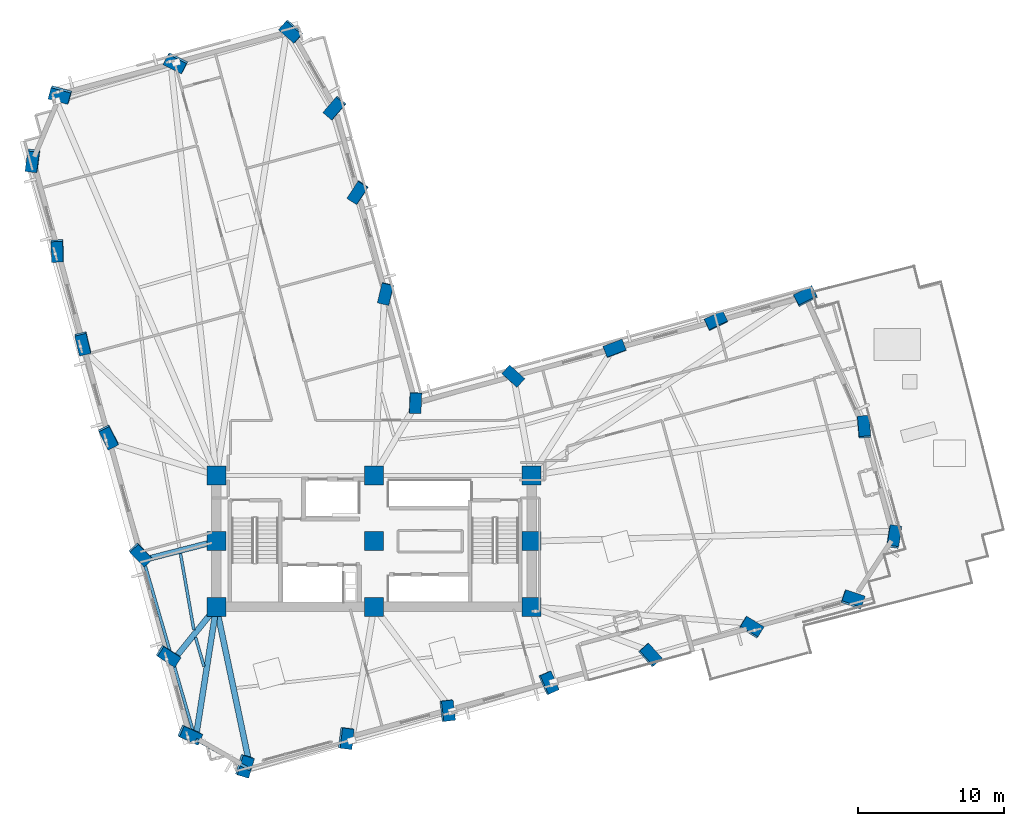
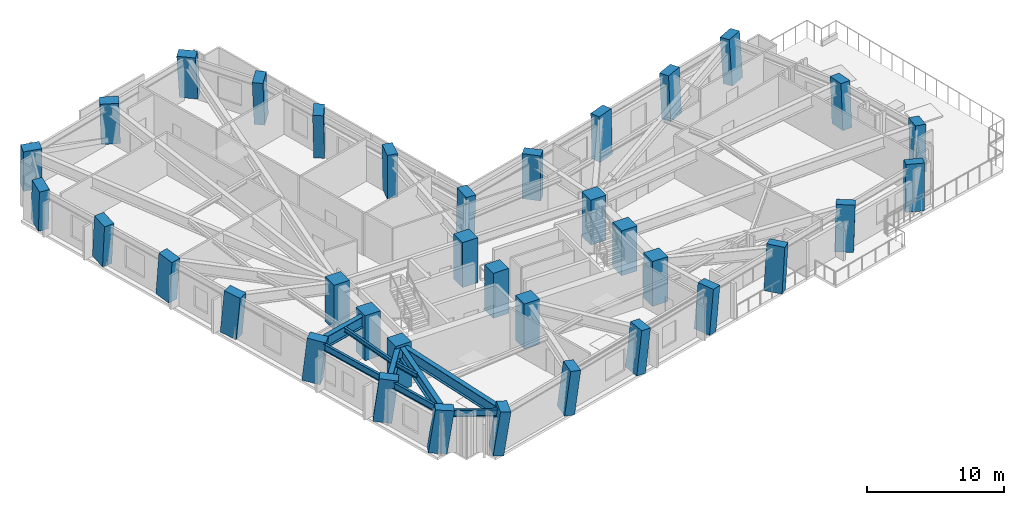
# One storey, part 1 of 15: 36 columns, 9 beams.
"""IFC4 building model written with IfcOpenShell, lengths in metres."""

from ifc_helpers import new_model, si_unit, direction, frame, origin, origin_2d, place, context, subcontext, project, spatial, rectangle, i_section, extrude, material, material_profile, profile_set, type_object, element, save


model = new_model("IFC4")

# Units and contexts
model_context = context("Model", 3, precision=1e-05, world=origin(), true_north=direction((0.0, 1.0)))
body_context = subcontext(model_context, "Body", "Model", "MODEL_VIEW")
ifc_project = project(units=[si_unit("LENGTHUNIT", "METRE"), si_unit("AREAUNIT", "SQUARE_METRE"), si_unit("VOLUMEUNIT", "CUBIC_METRE"), si_unit("PLANEANGLEUNIT", "RADIAN"), si_unit("MASSUNIT", "GRAM", prefix="KILO")], contexts=[model_context])

# Site, building, storey
site_placement = place(None, origin())
site = spatial("IfcSite", under=ifc_project, at=site_placement, CompositionType="ELEMENT")
building_placement = place(site_placement, origin())
building = spatial("IfcBuilding", under=site, at=building_placement, Name="Gaonmaruhae Medical Tower", CompositionType="ELEMENT")
storey_placement = place(building_placement, frame((0.0, 0.0, 88.39990234375)))
storey = spatial("IfcBuildingStorey", under=building, at=storey_placement, Name="L20", CompositionType="ELEMENT", Elevation=88.39990234375)

# Columns
ifc_material_1 = material(Name="Concrete C60/75", Category="concrete")
ifc_material_profile_1 = material_profile(ifc_material_1, rectangle(XDim=1.300048828125, YDim=1.300048828125, at=origin_2d()), Name="RC-1300x1300")
ifc_profile_set_1 = profile_set([ifc_material_profile_1], Name="Concrete C60/75")
column_type_1 = type_object("IfcColumnType", Name="CC-03 Zone 2 Core Column (RC-1300x1300)", PredefinedType="COLUMN", material=ifc_profile_set_1)
for number, where, z_axis, x_axis, name in (
    (1, (14.0, 7.800048828125, 0.0), (0.0, 0.0, 1.0), (1.0, 0.0, 0.0), "L20 Plumb Core Column CC11"),
    (2, (14.0, 12.300048828125, 0.0), (0.0, 0.0, 1.0), (1.0, 0.0, 0.0), "L20 Plumb Core Column CC12"),
    (3, (14.0, 16.800048828125, 0.0), (0.0, 0.0, 1.0), (1.0, 0.0, 0.0), "L20 Plumb Core Column CC13"),
    (4, (24.800048828125, 7.800048828125, 0.0), (0.0, 0.0, 1.0), (1.0, 0.0, 0.0), "L20 Plumb Core Column CC21"),
    (5, (24.800048828125, 12.300048828125, 0.0), (0.0, 0.0, 1.0), (1.0, 0.0, 0.0), "L20 Plumb Core Column CC22"),
    (6, (24.800048828125, 16.800048828125, 0.0), (0.0, 0.0, 1.0), (1.0, 0.0, 0.0), "L20 Plumb Core Column CC23"),
    (7, (35.60009765625, 7.800048828125, 0.0), (0.0, 0.0, 1.0), (1.0, 0.0, 0.0), "L20 Plumb Core Column CC31"),
    (8, (35.60009765625, 12.300048828125, 0.0), (0.0, 0.0, 1.0), (1.0, 0.0, 0.0), "L20 Plumb Core Column CC32"),
    (9, (35.60009765625, 16.800048828125, 0.0), (0.0, 0.0, 1.0), (1.0, 0.0, 0.0), "L20 Plumb Core Column CC33"),
):
    element("IfcColumn", number, at=place(storey_placement, frame(where, z_axis=z_axis, x_axis=x_axis)), inside=storey, type_object=column_type_1, Name=name, PredefinedType="COLUMN", context=body_context, shape_type="SweptSolid", body=[
        extrude(rectangle(XDim=1.300048828125, YDim=1.300048828125, at=origin_2d()), origin(), (0.0, 0.0, 1.0), 4.0),
    ])
ifc_material_profile_2 = material_profile(ifc_material_1, rectangle(XDim=1.39990234375, YDim=0.800048828125, at=origin_2d()), Name="RC-1400x800")
ifc_profile_set_2 = profile_set([ifc_material_profile_2], Name="Concrete C60/75")
column_type_2 = type_object("IfcColumnType", Name="TC-02 Mid Raking Tube Pier Column (RC-1400x800)", PredefinedType="COLUMN", material=ifc_profile_set_2)
column_1_placement = place(storey_placement, frame((15.896484375, -3.07470703125, 0.079833984375), z_axis=(0.115064015975, -0.07179155074, 0.990760437982), x_axis=(0.290437959757, 0.956232893506, 0.035559034153)))
element("IfcColumn", 10, at=column_1_placement, inside=storey, type_object=column_type_2, Name="L20 Perimeter Tube Column S01", PredefinedType="COLUMN", context=body_context, shape_type="SweptSolid", body=[
    extrude(rectangle(XDim=1.39990234375, YDim=0.800048828125, at=origin_2d()), origin(), (0.0, 0.0, 1.0), 3.955078125),
])
column_2_placement = place(storey_placement, frame((22.8427734375, -1.184326171875, 0.068603515625), z_axis=(0.107373775111, -0.043443182574, 0.99326912884), x_axis=(0.120527614907, 0.992245335413, 0.030369201428)))
element("IfcColumn", 11, at=column_2_placement, inside=storey, type_object=column_type_2, Name="L20 Perimeter Tube Column S02", PredefinedType="COLUMN", context=body_context, shape_type="SweptSolid", body=[
    extrude(rectangle(XDim=1.39990234375, YDim=0.800048828125, at=origin_2d()), origin(), (0.0, 0.0, 1.0), 3.956298828125),
])
column_3_placement = place(storey_placement, frame((29.78955078125, 0.70556640625, 0.059814453125), z_axis=(0.099480422966, -0.014925147153, 0.994927577982), x_axis=(-0.114792101151, 0.993039351459, 0.026374608369)))
element("IfcColumn", 12, at=column_3_placement, inside=storey, type_object=column_type_2, Name="L20 Perimeter Tube Column S03", PredefinedType="COLUMN", context=body_context, shape_type="SweptSolid", body=[
    extrude(rectangle(XDim=1.39990234375, YDim=0.800048828125, at=origin_2d()), origin(), (0.0, 0.0, 1.0), 3.95849609375),
])
column_4_placement = place(storey_placement, frame((36.73681640625, 2.594970703125, 0.055419921875), z_axis=(0.091494482232, 0.013687179957, 0.995711514861), x_axis=(-0.400965338617, 0.91577205319, 0.024255799796)))
element("IfcColumn", 13, at=column_4_placement, inside=storey, type_object=column_type_2, Name="L20 Perimeter Tube Column S04", PredefinedType="COLUMN", context=body_context, shape_type="SweptSolid", body=[
    extrude(rectangle(XDim=1.39990234375, YDim=0.800048828125, at=origin_2d()), origin(), (0.0, 0.0, 1.0), 3.9599609375),
])
column_5_placement = place(storey_placement, frame((43.6845703125, 4.484375, 0.055908203125), z_axis=(0.083481406489, 0.04229560181, 0.995611338243), x_axis=(-0.668997536394, 0.742859501733, 0.024536849522)))
element("IfcColumn", 14, at=column_5_placement, inside=storey, type_object=column_type_2, Name="L20 Perimeter Tube Column S05", PredefinedType="COLUMN", context=body_context, shape_type="SweptSolid", body=[
    extrude(rectangle(XDim=1.39990234375, YDim=0.800048828125, at=origin_2d()), origin(), (0.0, 0.0, 1.0), 3.959716796875),
])
column_6_placement = place(storey_placement, frame((50.632568359375, 6.374267578125, 0.0615234375), z_axis=(0.07537657007, 0.070812031457, 0.994637636974), x_axis=(-0.850808290541, 0.524776121633, 0.027115953079)))
element("IfcColumn", 15, at=column_6_placement, inside=storey, type_object=column_type_2, Name="L20 Perimeter Tube Column S06", PredefinedType="COLUMN", context=body_context, shape_type="SweptSolid", body=[
    extrude(rectangle(XDim=1.39990234375, YDim=0.800048828125, at=origin_2d()), origin(), (0.0, 0.0, 1.0), 3.9580078125),
])
column_7_placement = place(storey_placement, frame((57.580810546875, 8.2646484375, 0.07080078125), z_axis=(0.067267890032, 0.099235566212, 0.992787657744), x_axis=(-0.94484438457, 0.32600777038, 0.03143282678)))
element("IfcColumn", 16, at=column_7_placement, inside=storey, type_object=column_type_2, Name="L20 Perimeter Tube Column S07", PredefinedType="COLUMN", context=body_context, shape_type="SweptSolid", body=[
    extrude(rectangle(XDim=1.39990234375, YDim=0.800048828125, at=origin_2d()), origin(), (0.0, 0.0, 1.0), 3.9560546875),
])
column_8_placement = place(storey_placement, frame((60.40478515625, 12.558837890625, 0.09716796875), z_axis=(0.049509870039, 0.110698354341, 0.992620092037), x_axis=(-0.151744023747, -0.981467926566, 0.117023332628)))
element("IfcColumn", 17, at=column_8_placement, inside=storey, type_object=column_type_2, Name="L20 Perimeter Tube Column E01", PredefinedType="COLUMN", context=body_context, shape_type="SweptSolid", body=[
    extrude(rectangle(XDim=1.39990234375, YDim=0.800048828125, at=origin_2d()), origin(), (0.0, 0.0, 1.0), 3.93017578125),
])
column_9_placement = place(storey_placement, frame((58.3564453125, 20.083740234375, 0.083740234375), z_axis=(0.018608966, 0.102225253226, 0.994587202807), x_axis=(0.086055333022, -0.991231736381, 0.100270257057)))
element("IfcColumn", 18, at=column_9_placement, inside=storey, type_object=column_type_2, Name="L20 Perimeter Tube Column E02", PredefinedType="COLUMN", context=body_context, shape_type="SweptSolid", body=[
    extrude(rectangle(XDim=1.39990234375, YDim=0.800048828125, at=origin_2d()), origin(), (0.0, 0.0, 1.0), 3.935791015625),
])
column_10_placement = place(storey_placement, frame((54.363037109375, 29.047119140625, 0.052490234375), z_axis=(-0.018244360098, 0.085551256137, 0.996166715916), x_axis=(-0.8893197332, -0.456710409443, 0.022934996119)))
element("IfcColumn", 19, at=column_10_placement, inside=storey, type_object=column_type_2, Name="L20 Perimeter Tube Column E03", PredefinedType="COLUMN", context=body_context, shape_type="SweptSolid", body=[
    extrude(rectangle(XDim=1.39990234375, YDim=0.800048828125, at=origin_2d()), origin(), (0.0, 0.0, 1.0), 3.9609375),
])
column_11_placement = place(storey_placement, frame((48.23583984375, 27.3798828125, 0.03759765625), z_axis=(-0.011197400024, 0.060478264967, 0.99810670657), x_axis=(-0.901247683569, -0.433004107727, 0.016126238025)))
element("IfcColumn", 20, at=column_11_placement, inside=storey, type_object=column_type_2, Name="L20 Perimeter Tube Column EN01", PredefinedType="COLUMN", context=body_context, shape_type="SweptSolid", body=[
    extrude(rectangle(XDim=1.39990234375, YDim=0.800048828125, at=origin_2d()), origin(), (0.0, 0.0, 1.0), 3.96826171875),
])
column_12_placement = place(storey_placement, frame((41.2880859375, 25.490478515625, 0.020751953125), z_axis=(-0.003128768258, 0.031839818153, 0.999488087367), x_axis=(-0.93476314802, -0.355172485039, 0.008388264129)))
element("IfcColumn", 21, at=column_12_placement, inside=storey, type_object=column_type_2, Name="L20 Perimeter Tube Column EN02", PredefinedType="COLUMN", context=body_context, shape_type="SweptSolid", body=[
    extrude(rectangle(XDim=1.39990234375, YDim=0.800048828125, at=origin_2d()), origin(), (0.0, 0.0, 1.0), 3.9794921875),
])
column_13_placement = place(storey_placement, frame((34.340087890625, 23.60205078125, 0.005859375), z_axis=(0.004891986406, 0.003118641334, 0.999983171131), x_axis=(-0.739833024485, 0.67278880948, 0.001521091706)))
element("IfcColumn", 22, at=column_13_placement, inside=storey, type_object=column_type_2, Name="L20 Perimeter Tube Column EN03", PredefinedType="COLUMN", context=body_context, shape_type="SweptSolid", body=[
    extrude(rectangle(XDim=1.39990234375, YDim=0.800048828125, at=origin_2d()), origin(), (0.0, 0.0, 1.0), 3.992431640625),
])
column_14_placement = place(storey_placement, frame((27.63330078125, 21.779296875, 0.02490234375), z_axis=(0.012775417682, -0.024629531204, 0.99961501334), x_axis=(0.041751933516, 0.998837867097, 0.024076779265)))
element("IfcColumn", 23, at=column_14_placement, inside=storey, type_object=column_type_2, Name="L20 Perimeter Tube Column KN01", PredefinedType="COLUMN", context=body_context, shape_type="SweptSolid", body=[
    extrude(rectangle(XDim=1.39990234375, YDim=0.800048828125, at=origin_2d()), origin(), (0.0, 0.0, 1.0), 3.974853515625),
])
column_15_placement = place(storey_placement, frame((25.6005859375, 29.2578125, 0.0322265625), z_axis=(-0.018207839126, -0.033340029752, 0.999278198006), x_axis=(0.232094427976, 0.972002209671, 0.036658981122)))
element("IfcColumn", 24, at=column_15_placement, inside=storey, type_object=column_type_2, Name="L20 Perimeter Tube Column NE01", PredefinedType="COLUMN", context=body_context, shape_type="SweptSolid", body=[
    extrude(rectangle(XDim=1.39990234375, YDim=0.800048828125, at=origin_2d()), origin(), (0.0, 0.0, 1.0), 3.968994140625),
])
column_16_placement = place(storey_placement, frame((23.7109375, 36.204833984375, 0.05126953125), z_axis=(-0.046855821749, -0.041299795455, 0.998047523349), x_axis=(0.549159183113, 0.833541377051, 0.060274076899)))
element("IfcColumn", 25, at=column_16_placement, inside=storey, type_object=column_type_2, Name="L20 Perimeter Tube Column NE02", PredefinedType="COLUMN", context=body_context, shape_type="SweptSolid", body=[
    extrude(rectangle(XDim=1.39990234375, YDim=0.800048828125, at=origin_2d()), origin(), (0.0, 0.0, 1.0), 3.954833984375),
])
column_17_placement = place(storey_placement, frame((22.13525390625, 41.99365234375, 0.069091796875), z_axis=(-0.070575652412, -0.04791715348, 0.996354868352), x_axis=(0.648202629794, 0.757005030897, 0.082320920335)))
element("IfcColumn", 26, at=column_17_placement, inside=storey, type_object=column_type_2, Name="L20 Perimeter Tube Column NE03", PredefinedType="COLUMN", context=body_context, shape_type="SweptSolid", body=[
    extrude(rectangle(XDim=1.39990234375, YDim=0.800048828125, at=origin_2d()), origin(), (0.0, 0.0, 1.0), 3.943603515625),
])
column_18_placement = place(storey_placement, frame((19.15283203125, 47.2451171875, 0.065185546875), z_axis=(-0.091989780155, -0.060277676198, 0.993933841913), x_axis=(0.746878057935, -0.664335519439, 0.028835467529)))
element("IfcColumn", 27, at=column_18_placement, inside=storey, type_object=column_type_2, Name="L20 Perimeter Tube Column N01", PredefinedType="COLUMN", context=body_context, shape_type="SweptSolid", body=[
    extrude(rectangle(XDim=1.39990234375, YDim=0.800048828125, at=origin_2d()), origin(), (0.0, 0.0, 1.0), 3.95703125),
])
column_19_placement = place(storey_placement, frame((11.23974609375, 45.09228515625, 0.0732421875), z_axis=(-0.082764973125, -0.092639988561, 0.992253894799), x_axis=(0.892975011796, -0.44892624056, 0.032570828123)))
element("IfcColumn", 28, at=column_19_placement, inside=storey, type_object=column_type_2, Name="L20 Perimeter Tube Column N02", PredefinedType="COLUMN", context=body_context, shape_type="SweptSolid", body=[
    extrude(rectangle(XDim=1.39990234375, YDim=0.800048828125, at=origin_2d()), origin(), (0.0, 0.0, 1.0), 3.955810546875),
])
column_20_placement = place(storey_placement, frame((3.326416015625, 42.9384765625, 0.0849609375), z_axis=(-0.073396879193, -0.124756175652, 0.98946894583), x_axis=(0.963298741643, -0.265735361181, 0.037950654368)))
element("IfcColumn", 29, at=column_20_placement, inside=storey, type_object=column_type_2, Name="L20 Perimeter Tube Column N03", PredefinedType="COLUMN", context=body_context, shape_type="SweptSolid", body=[
    extrude(rectangle(XDim=1.39990234375, YDim=0.800048828125, at=origin_2d()), origin(), (0.0, 0.0, 1.0), 3.955078125),
])
column_21_placement = place(storey_placement, frame((1.440673828125, 38.431884765625, 0.114501953125), z_axis=(-0.054871959567, -0.132327276643, 0.989686091602), x_axis=(0.123637289563, 0.98265105164, 0.138241568785)))
element("IfcColumn", 30, at=column_21_placement, inside=storey, type_object=column_type_2, Name="L20 Perimeter Tube Column W01", PredefinedType="COLUMN", context=body_context, shape_type="SweptSolid", body=[
    extrude(rectangle(XDim=1.39990234375, YDim=0.800048828125, at=origin_2d()), origin(), (0.0, 0.0, 1.0), 3.92431640625),
])
column_22_placement = place(storey_placement, frame((3.121826171875, 32.258056640625, 0.103271484375), z_axis=(-0.029648840383, -0.125494777221, 0.991651151945), x_axis=(-0.035134870554, 0.991605066994, 0.124438466655)))
element("IfcColumn", 31, at=column_22_placement, inside=storey, type_object=column_type_2, Name="L20 Perimeter Tube Column W02", PredefinedType="COLUMN", context=body_context, shape_type="SweptSolid", body=[
    extrude(rectangle(XDim=1.39990234375, YDim=0.800048828125, at=origin_2d()), origin(), (0.0, 0.0, 1.0), 3.927734375),
])
column_23_placement = place(storey_placement, frame((4.855224609375, 25.890625, 0.094970703125), z_axis=(-0.003602216737, -0.118314187664, 0.992969675787), x_axis=(-0.232906733675, 0.965767262988, 0.114228048877)))
element("IfcColumn", 32, at=column_23_placement, inside=storey, type_object=column_type_2, Name="L20 Perimeter Tube Column W03", PredefinedType="COLUMN", context=body_context, shape_type="SweptSolid", body=[
    extrude(rectangle(XDim=1.39990234375, YDim=0.800048828125, at=origin_2d()), origin(), (0.0, 0.0, 1.0), 3.930908203125),
])
column_24_placement = place(storey_placement, frame((6.60107421875, 19.474609375, 0.091064453125), z_axis=(0.022845953935, -0.111063618452, 0.993550670598), x_axis=(-0.449992639762, 0.886303218175, 0.109422253733)))
element("IfcColumn", 33, at=column_24_placement, inside=storey, type_object=column_type_2, Name="L20 Perimeter Tube Column W04", PredefinedType="COLUMN", context=body_context, shape_type="SweptSolid", body=[
    extrude(rectangle(XDim=1.39990234375, YDim=0.800048828125, at=origin_2d()), origin(), (0.0, 0.0, 1.0), 3.9326171875),
])
column_25_placement = place(storey_placement, frame((8.79345703125, 11.417236328125, 0.09326171875), z_axis=(0.055949258241, -0.101714633739, 0.993239051682), x_axis=(-0.691683069188, 0.713459698428, 0.112025847538)))
element("IfcColumn", 34, at=column_25_placement, inside=storey, type_object=column_type_2, Name="L20 Perimeter Tube Column W05", PredefinedType="COLUMN", context=body_context, shape_type="SweptSolid", body=[
    extrude(rectangle(XDim=1.39990234375, YDim=0.800048828125, at=origin_2d()), origin(), (0.0, 0.0, 1.0), 3.931640625),
])
column_26_placement = place(storey_placement, frame((10.6845703125, 4.46923828125, 0.100830078125), z_axis=(0.08438828721, -0.093585243401, 0.992028436689), x_axis=(-0.835810146519, 0.535381574977, 0.121605789958)))
element("IfcColumn", 35, at=column_26_placement, inside=storey, type_object=column_type_2, Name="L20 Perimeter Tube Column W06", PredefinedType="COLUMN", context=body_context, shape_type="SweptSolid", body=[
    extrude(rectangle(XDim=1.39990234375, YDim=0.800048828125, at=origin_2d()), origin(), (0.0, 0.0, 1.0), 3.9287109375),
])
column_27_placement = place(storey_placement, frame((12.156005859375, -0.93505859375, 0.10986328125), z_axis=(0.106406284577, -0.087189720033, 0.990492632645), x_axis=(-0.905514185437, 0.403014434793, 0.132753249756)))
element("IfcColumn", 36, at=column_27_placement, inside=storey, type_object=column_type_2, Name="L20 Perimeter Tube Column W07", PredefinedType="COLUMN", context=body_context, shape_type="SweptSolid", body=[
    extrude(rectangle(XDim=1.39990234375, YDim=0.800048828125, at=origin_2d()), origin(), (0.0, 0.0, 1.0), 3.92578125),
])

# Beams
ifc_material_2 = material(Name="Steel SM420", Category="steel")
ifc_material_profile_3 = material_profile(ifc_material_2, i_section(OverallWidth=0.39990234375, OverallDepth=1.0, WebThickness=0.02197265625, FlangeThickness=0.035888671875, at=origin_2d()), Name="BH-1000x400x22x36")
ifc_profile_set_3 = profile_set([ifc_material_profile_3], Name="Steel SM420")
beam_type_1 = type_object("IfcBeamType", Name="BG-02 Refuge Floor Primary Girder (BH-1000x400x22x36)", PredefinedType="BEAM", material=ifc_profile_set_3)
beam_1_placement = place(storey_placement, frame((14.01025390625, 7.7509765625, 3.280029296875), z_axis=(0.206235789879, -0.97850232446, 0.0), x_axis=(0.97850232446, 0.206235789879, 0.0)))
element("IfcBeam", 37, at=beam_1_placement, inside=storey, type_object=beam_type_1, Name="L20 Radial Primary Girder S01", PredefinedType="BEAM", context=body_context, shape_type="SweptSolid", body=[
    extrude(i_section(OverallWidth=0.39990234375, OverallDepth=1.0, WebThickness=0.02197265625, FlangeThickness=0.035888671875, at=origin_2d()), origin(), (0.0, 0.0, 1.0), 11.303955078125),
])
beam_2_placement = place(storey_placement, frame((13.95166015625, 12.28759765625, 3.280029296875), z_axis=(-0.968473269751, -0.249117493922, 0.0), x_axis=(0.249117493922, -0.968473269751, 0.0)))
element("IfcBeam", 38, at=beam_2_placement, inside=storey, type_object=beam_type_1, Name="L20 Radial Primary Girder W05", PredefinedType="BEAM", context=body_context, shape_type="SweptSolid", body=[
    extrude(i_section(OverallWidth=0.39990234375, OverallDepth=1.0, WebThickness=0.02197265625, FlangeThickness=0.035888671875, at=origin_2d()), origin(), (0.0, 0.0, 1.0), 5.049072265625),
])
beam_3_placement = place(storey_placement, frame((13.968505859375, 7.760986328125, 3.280029296875), z_axis=(-0.627889899523, -0.778302174016, 0.0), x_axis=(0.778302174016, -0.627889899523, 0.0)))
element("IfcBeam", 39, at=beam_3_placement, inside=storey, type_object=beam_type_1, Name="L20 Radial Primary Girder W06", PredefinedType="BEAM", context=body_context, shape_type="SweptSolid", body=[
    extrude(i_section(OverallWidth=0.39990234375, OverallDepth=1.0, WebThickness=0.02197265625, FlangeThickness=0.035888671875, at=origin_2d()), origin(), (0.0, 0.0, 1.0), 4.65185546875),
])
beam_4_placement = place(storey_placement, frame((13.9921875, 7.75048828125, 3.280029296875), z_axis=(-0.155205253542, -0.987882244639, 0.0), x_axis=(0.987882244639, -0.155205253542, 0.0)))
element("IfcBeam", 40, at=beam_4_placement, inside=storey, type_object=beam_type_1, Name="L20 Radial Primary Girder W07", PredefinedType="BEAM", context=body_context, shape_type="SweptSolid", body=[
    extrude(i_section(OverallWidth=0.39990234375, OverallDepth=1.0, WebThickness=0.02197265625, FlangeThickness=0.035888671875, at=origin_2d()), origin(), (0.0, 0.0, 1.0), 9.0888671875),
])
ifc_material_3 = material(Name="Steel SM355", Category="steel")
ifc_material_profile_4 = material_profile(ifc_material_3, i_section(OverallWidth=0.199951171875, OverallDepth=0.39990234375, WebThickness=0.008056640625, FlangeThickness=0.012939453125, FilletRadius=0.012939453125, at=origin_2d()), Name="H-400x200x8x13")
ifc_profile_set_4 = profile_set([ifc_material_profile_4], Name="Steel SM355")
beam_type_2 = type_object("IfcBeamType", Name="FJ-01 Lower Zone Ward Floor Joist (H-400x200x8x13)", PredefinedType="JOIST", material=ifc_profile_set_4)
beam_5_placement = place(storey_placement, frame((11.54248046875, 11.455078125, 3.580078125), z_axis=(0.172792444159, -0.984958258629, 0.0), x_axis=(0.984958258629, 0.172792444159, 0.0)))
element("IfcBeam", 41, at=beam_5_placement, inside=storey, type_object=beam_type_2, Name="L20 Secondary Floor Joist FJ19", PredefinedType="JOIST", context=body_context, shape_type="SweptSolid", body=[
    extrude(i_section(OverallWidth=0.199951171875, OverallDepth=0.39990234375, WebThickness=0.008056640625, FlangeThickness=0.012939453125, FilletRadius=0.012939453125, at=origin_2d()), origin(), (0.0, 0.0, 1.0), 5.31689453125),
])
beam_6_placement = place(storey_placement, frame((12.57763671875, 5.71044921875, 3.580078125), z_axis=(0.278189678847, -0.960526159239, 0.0), x_axis=(0.960526159239, 0.278189678847, 0.0)))
element("IfcBeam", 42, at=beam_6_placement, inside=storey, type_object=beam_type_2, Name="L20 Secondary Floor Joist FJ20", PredefinedType="JOIST", context=body_context, shape_type="SweptSolid", body=[
    extrude(i_section(OverallWidth=0.199951171875, OverallDepth=0.39990234375, WebThickness=0.008056640625, FlangeThickness=0.012939453125, FilletRadius=0.012939453125, at=origin_2d()), origin(), (0.0, 0.0, 1.0), 2.072021484375),
])
ifc_material_profile_5 = material_profile(ifc_material_3, i_section(OverallWidth=0.199951171875, OverallDepth=0.60009765625, WebThickness=0.010986328125, FlangeThickness=0.01708984375, FilletRadius=0.012939453125, at=origin_2d()), Name="H-600x200x11x17")
ifc_profile_set_5 = profile_set([ifc_material_profile_5], Name="Steel SM355")
beam_type_3 = type_object("IfcBeamType", Name="SP-01 Lower Perimeter Spandrel Beam (H-600x200x11x17)", PredefinedType="SPANDREL", material=ifc_profile_set_5)
beam_7_placement = place(storey_placement, frame((9.024658203125, 10.978759765625, 3.47998046875), z_axis=(0.278161317725, -0.960534372795, 0.0), x_axis=(0.960534372795, 0.278161317725, 0.0)))
element("IfcBeam", 43, at=beam_7_placement, inside=storey, type_object=beam_type_3, Name="L20 Perimeter Spandrel Beam W05-W06", PredefinedType="SPANDREL", context=body_context, shape_type="SweptSolid", body=[
    extrude(i_section(OverallWidth=0.199951171875, OverallDepth=0.60009765625, WebThickness=0.010986328125, FlangeThickness=0.01708984375, FilletRadius=0.012939453125, at=origin_2d()), origin(), (0.0, 0.0, 1.0), 7.119873046875),
])
beam_8_placement = place(storey_placement, frame((11.02734375, 4.06298828125, 3.47998046875), z_axis=(0.278148282957, -0.96053814744, 0.0), x_axis=(0.96053814744, 0.278148282957, 0.0)))
element("IfcBeam", 44, at=beam_8_placement, inside=storey, type_object=beam_type_3, Name="L20 Perimeter Spandrel Beam W06-W07", PredefinedType="SPANDREL", context=body_context, shape_type="SweptSolid", body=[
    extrude(i_section(OverallWidth=0.199951171875, OverallDepth=0.60009765625, WebThickness=0.010986328125, FlangeThickness=0.01708984375, FilletRadius=0.012939453125, at=origin_2d()), origin(), (0.0, 0.0, 1.0), 5.52001953125),
])
beam_9_placement = place(storey_placement, frame((12.60888671875, -1.296875, 3.47998046875), z_axis=(0.875871089179, -0.482545163835, 0.0), x_axis=(0.482545163835, 0.875871089179, 0.0)))
element("IfcBeam", 45, at=beam_9_placement, inside=storey, type_object=beam_type_3, Name="L20 Perimeter Spandrel Beam W07-S01", PredefinedType="SPANDREL", context=body_context, shape_type="SweptSolid", body=[
    extrude(i_section(OverallWidth=0.199951171875, OverallDepth=0.60009765625, WebThickness=0.010986328125, FlangeThickness=0.01708984375, FilletRadius=0.012939453125, at=origin_2d()), origin(), (0.0, 0.0, 1.0), 4.233154296875),
])

save(model, "model.ifc")
